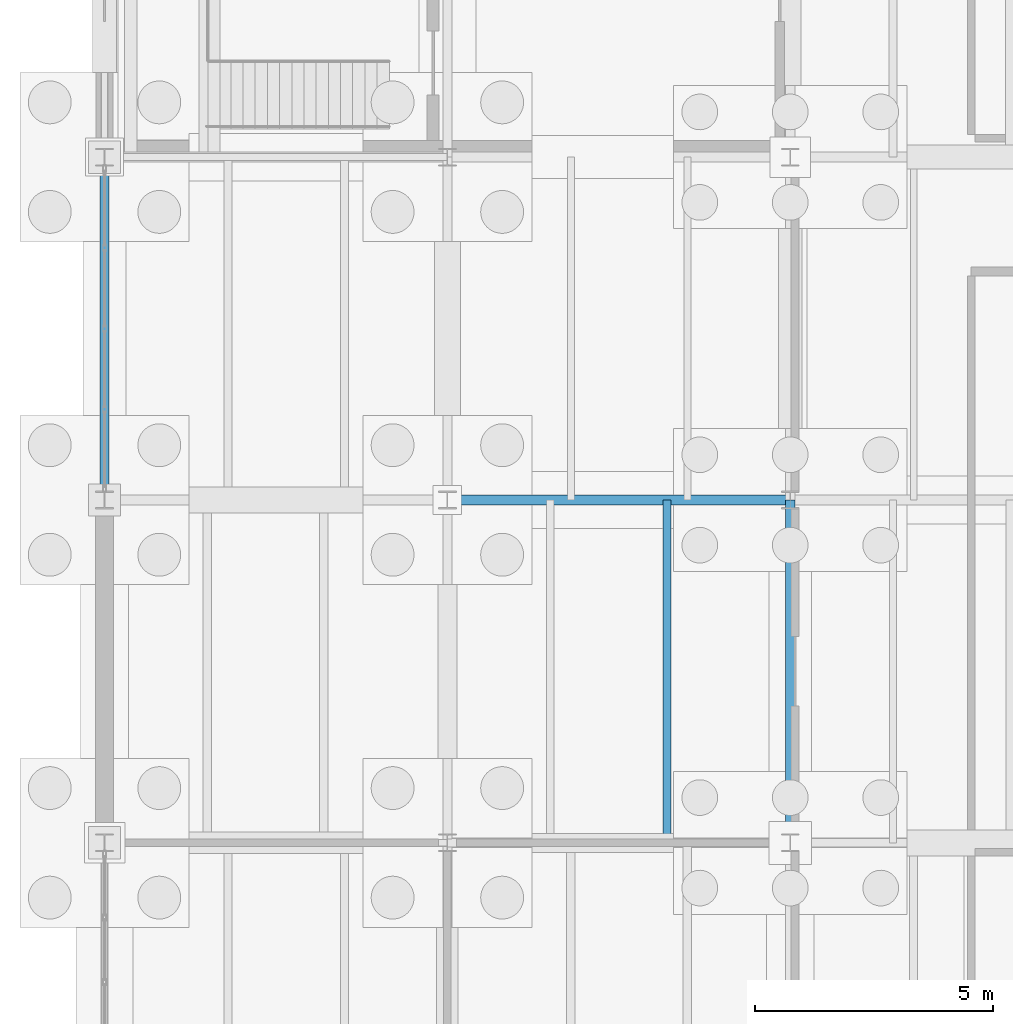
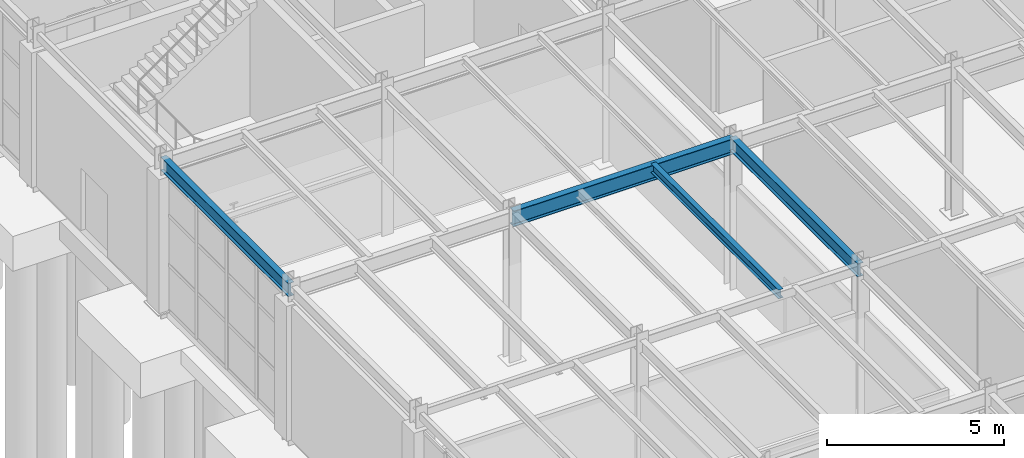
# One storey, part 58 of 293: 4 beams.
"""IFC4 building model written with IfcOpenShell, lengths in metres."""

from ifc_helpers import new_model, si_unit, direction, frame, origin, origin_2d, place, context, subcontext, project, spatial, i_section, extrude, material, material_profile, profile_set, type_object, element, save


model = new_model("IFC4")

# Units and contexts
model_context = context("Model", 3, precision=1e-05, world=origin(), true_north=direction((0.0, 1.0)))
body_context = subcontext(model_context, "Body", "Model", "MODEL_VIEW")
ifc_project = project(units=[si_unit("LENGTHUNIT", "METRE"), si_unit("AREAUNIT", "SQUARE_METRE"), si_unit("VOLUMEUNIT", "CUBIC_METRE"), si_unit("PLANEANGLEUNIT", "RADIAN"), si_unit("MASSUNIT", "GRAM", prefix="KILO")], contexts=[model_context])

# Site, building, storey
site_placement = place(None, origin())
site = spatial("IfcSite", under=ifc_project, at=site_placement, CompositionType="ELEMENT")
building_placement = place(site_placement, origin())
building = spatial("IfcBuilding", under=site, at=building_placement, Name="Kemerveld Promenade Tramway Depot", CompositionType="ELEMENT")
storey_placement = place(building_placement, origin())
storey = spatial("IfcBuildingStorey", under=building, at=storey_placement, Name="L00", CompositionType="ELEMENT", Elevation=0.0)

# Beams
ifc_material = material(Name="Steel S355", Category="steel")
ifc_material_profile_1 = material_profile(ifc_material, i_section(OverallWidth=0.2099609375, OverallDepth=0.53662109375, WebThickness=0.0107421875, FlangeThickness=0.017333984375, FilletRadius=0.0126953125, at=origin_2d()), Name="533x210x101 UB")
ifc_profile_set_1 = profile_set([ifc_material_profile_1], Name="Steel S355")
beam_type_1 = type_object("IfcBeamType", Name="BM-G05", PredefinedType="BEAM", material=ifc_profile_set_1)
beam_1_placement = place(storey_placement, frame((7.199951171875, 36.0, 4.881591796875), z_axis=(1.0, 0.0, 0.0), x_axis=(0.0, 1.0, 0.0)))
element("IfcBeam", 1, at=beam_1_placement, inside=storey, type_object=beam_type_1, Name="BMX-L00-02-03-F", PredefinedType="BEAM", context=body_context, shape_type="SweptSolid", body=[
    extrude(i_section(OverallWidth=0.2099609375, OverallDepth=0.53662109375, WebThickness=0.0107421875, FlangeThickness=0.017333984375, FilletRadius=0.0126953125, at=origin_2d()), origin(), (0.0, 0.0, 1.0), 7.199951171875),
])
ifc_material_profile_2 = material_profile(ifc_material, i_section(OverallWidth=0.19140625, OverallDepth=0.4599609375, WebThickness=0.010009765625, FlangeThickness=0.01611328125, FilletRadius=0.01025390625, at=origin_2d()), Name="457x191x82 UB")
ifc_profile_set_2 = profile_set([ifc_material_profile_2], Name="Steel S355")
beam_type_2 = type_object("IfcBeamType", Name="BM-G06", PredefinedType="BEAM", material=ifc_profile_set_2)
for number, where, z_axis, x_axis, name in (
    (2, (0.0, 36.0, 4.919921875), (0.0, 1.0, 0.0), (-1.0, 0.0, 0.0), "BMY-L00-01-F-G"),
    (3, (14.39990234375, 28.800048828125, 4.919921875), (0.0, 1.0, 0.0), (-1.0, 0.0, 0.0), "BMY-L00-03-E-F"),
):
    element("IfcBeam", number, at=place(storey_placement, frame(where, z_axis=z_axis, x_axis=x_axis)), inside=storey, type_object=beam_type_2, Name=name, PredefinedType="BEAM", context=body_context, shape_type="SweptSolid", body=[
        extrude(i_section(OverallWidth=0.19140625, OverallDepth=0.4599609375, WebThickness=0.010009765625, FlangeThickness=0.01611328125, FilletRadius=0.01025390625, at=origin_2d()), origin(), (0.0, 0.0, 1.0), 7.199951171875),
    ])
ifc_material_profile_3 = material_profile(ifc_material, i_section(OverallWidth=0.165771484375, OverallDepth=0.306640625, WebThickness=0.006591796875, FlangeThickness=0.01171875, FilletRadius=0.0087890625, at=origin_2d()), Name="305x165x46 UB")
ifc_profile_set_3 = profile_set([ifc_material_profile_3], Name="Steel S355")
beam_type_3 = type_object("IfcBeamType", Name="BM-J01", PredefinedType="JOIST", material=ifc_profile_set_3)
beam_2_placement = place(storey_placement, frame((11.80810546875, 28.800048828125, 4.99658203125), z_axis=(0.0, 1.0, 0.0), x_axis=(-1.0, 0.0, 0.0)))
element("IfcBeam", 4, at=beam_2_placement, inside=storey, type_object=beam_type_3, Name="JST-L00-02-E-2", PredefinedType="JOIST", context=body_context, shape_type="SweptSolid", body=[
    extrude(i_section(OverallWidth=0.165771484375, OverallDepth=0.306640625, WebThickness=0.006591796875, FlangeThickness=0.01171875, FilletRadius=0.0087890625, at=origin_2d()), origin(), (0.0, 0.0, 1.0), 7.199951171875),
])

save(model, "model.ifc")
